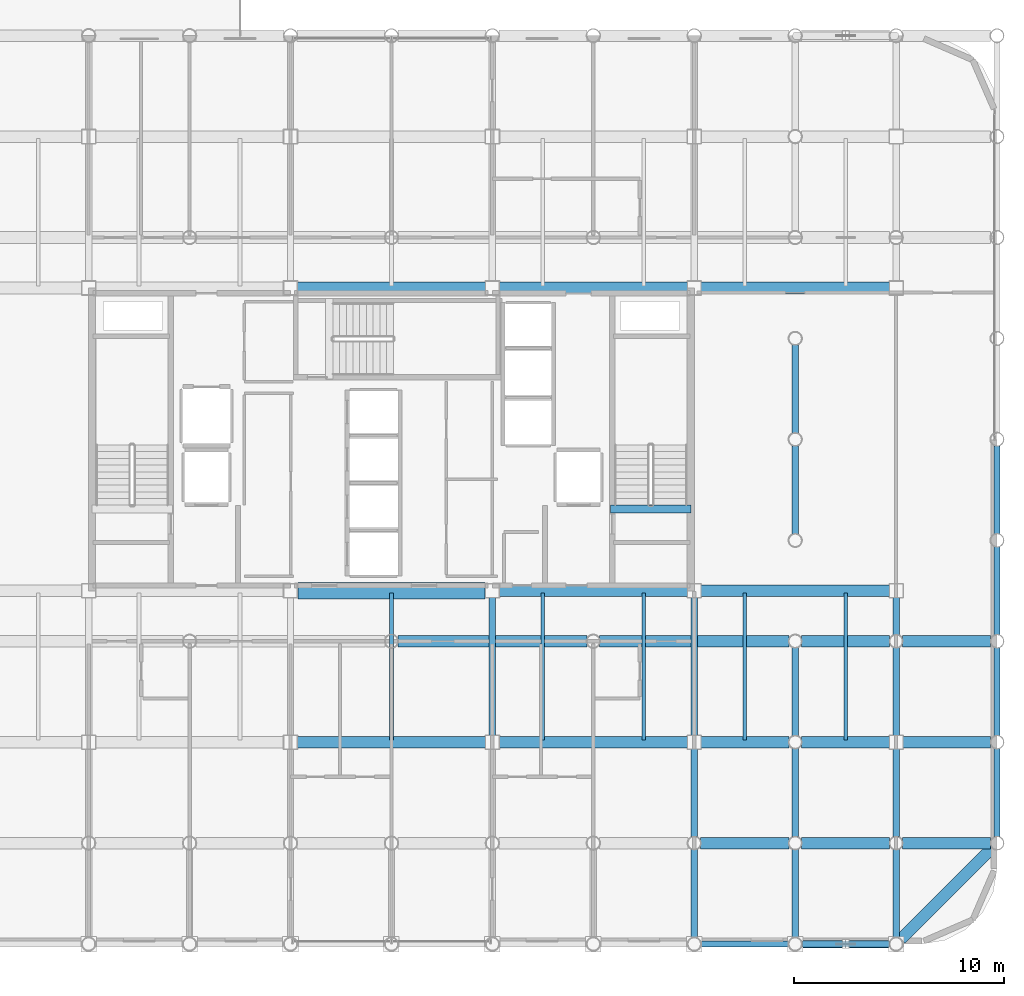
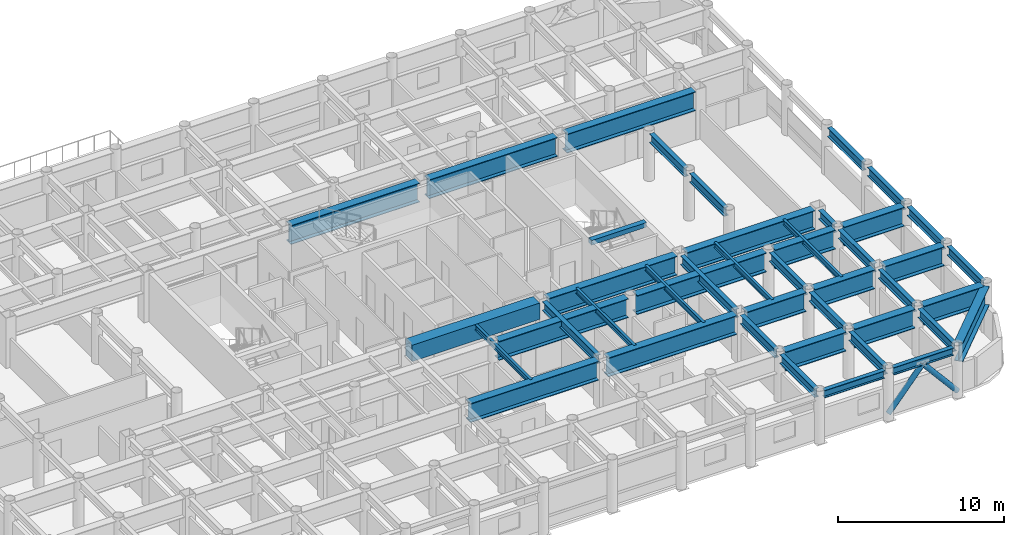
# One storey, part 8 of 22: 44 beams, 2 members.
"""IFC4 building model written with IfcOpenShell, lengths in metres."""

from ifc_helpers import new_model, si_unit, direction, frame, origin, origin_2d, place, context, subcontext, project, spatial, rectangle, hollow_circle, i_section, extrude, material, material_profile, profile_set, type_object, element, save


model = new_model("IFC4")

# Units and contexts
model_context = context("Model", 3, precision=1e-05, world=origin(), true_north=direction((0.0, 1.0)))
body_context = subcontext(model_context, "Body", "Model", "MODEL_VIEW")
ifc_project = project(units=[si_unit("LENGTHUNIT", "METRE"), si_unit("AREAUNIT", "SQUARE_METRE"), si_unit("VOLUMEUNIT", "CUBIC_METRE"), si_unit("PLANEANGLEUNIT", "RADIAN"), si_unit("MASSUNIT", "GRAM", prefix="KILO")], contexts=[model_context])

# Site, building, storey
site_placement = place(None, origin())
site = spatial("IfcSite", under=ifc_project, at=site_placement, CompositionType="ELEMENT")
building_placement = place(site_placement, origin())
building = spatial("IfcBuilding", under=site, at=building_placement, Name="Kallvorn Hotel Tower", CompositionType="ELEMENT")
storey_placement = place(building_placement, frame((0.0, 0.0, 154.39990234375)))
storey = spatial("IfcBuildingStorey", under=building, at=storey_placement, Name="L38", CompositionType="ELEMENT", Elevation=154.39990234375)

# Beams
ifc_material_1 = material(Name="Structural steel S355JR", Category="steel")
ifc_material_profile_1 = material_profile(ifc_material_1, i_section(OverallWidth=0.300048828125, OverallDepth=0.550048828125, WebThickness=0.014892578125, FlangeThickness=0.029052734375, at=origin_2d()), Name="HE 550 B")
ifc_profile_set_1 = profile_set([ifc_material_profile_1], Name="Structural steel S355JR")
beam_type_1 = type_object("IfcBeamType", Name="BM_HE550B", PredefinedType="SPANDREL", material=ifc_profile_set_1)
for number, where, z_axis, x_axis, name in (
    (1, (14.719970703125, -24.0, 3.2451171875), (1.0, 0.0, 0.0), (0.0, 1.0, 0.0), "L39 Perimeter Spandrel 160"),
    (2, (19.52001953125, -24.0, 3.2451171875), (1.0, 0.0, 0.0), (0.0, 1.0, 0.0), "L39 Perimeter Spandrel 161"),
):
    element("IfcBeam", number, at=place(storey_placement, frame(where, z_axis=z_axis, x_axis=x_axis)), inside=storey, type_object=beam_type_1, Name=name, PredefinedType="SPANDREL", context=body_context, shape_type="SweptSolid", body=[
        extrude(i_section(OverallWidth=0.300048828125, OverallDepth=0.550048828125, WebThickness=0.014892578125, FlangeThickness=0.029052734375, at=origin_2d()), origin(), (0.0, 0.0, 1.0), 4.159912109375),
    ])
ifc_material_2 = material(Name="Structural steel S355JR", Category="steel")
ifc_material_profile_2 = material_profile(ifc_material_2, i_section(OverallWidth=0.300048828125, OverallDepth=0.64990234375, WebThickness=0.01611328125, FlangeThickness=0.031005859375, at=origin_2d()), Name="HE 650 B")
ifc_profile_set_2 = profile_set([ifc_material_profile_2], Name="Structural steel S355JR")
beam_type_2 = type_object("IfcBeamType", Name="BM_HE650B", PredefinedType="BEAM", material=ifc_profile_set_2)
beam_1_placement = place(storey_placement, frame((4.800048828125, -14.074951171875, 3.195068359375), z_axis=(0.0, 1.0, 0.0), x_axis=(-1.0, 0.0, 0.0)))
element("IfcBeam", 3, at=beam_1_placement, inside=storey, type_object=beam_type_2, Name="L39 Primary Y-Girder 116", PredefinedType="BEAM", context=body_context, shape_type="SweptSolid", body=[
    extrude(i_section(OverallWidth=0.300048828125, OverallDepth=0.64990234375, WebThickness=0.01611328125, FlangeThickness=0.031005859375, at=origin_2d()), origin(), (0.0, 0.0, 1.0), 6.550048828125),
])
beam_2_placement = place(storey_placement, frame((14.39990234375, -23.695068359375, 3.195068359375), z_axis=(0.0, 1.0, 0.0), x_axis=(-1.0, 0.0, 0.0)))
element("IfcBeam", 4, at=beam_2_placement, inside=storey, type_object=beam_type_2, Name="L39 Primary Y-Girder 122", PredefinedType="BEAM", context=body_context, shape_type="SweptSolid", body=[
    extrude(i_section(OverallWidth=0.300048828125, OverallDepth=0.64990234375, WebThickness=0.01611328125, FlangeThickness=0.031005859375, at=origin_2d()), origin(), (0.0, 0.0, 1.0), 4.190185546875),
])
beam_3_placement = place(storey_placement, frame((14.39990234375, -18.89501953125, 3.195068359375), z_axis=(0.0, 1.0, 0.0), x_axis=(-1.0, 0.0, 0.0)))
element("IfcBeam", 5, at=beam_3_placement, inside=storey, type_object=beam_type_2, Name="L39 Primary Y-Girder 123", PredefinedType="BEAM", context=body_context, shape_type="SweptSolid", body=[
    extrude(i_section(OverallWidth=0.300048828125, OverallDepth=0.64990234375, WebThickness=0.01611328125, FlangeThickness=0.031005859375, at=origin_2d()), origin(), (0.0, 0.0, 1.0), 4.169921875),
])
beam_4_placement = place(storey_placement, frame((14.39990234375, -14.074951171875, 3.195068359375), z_axis=(0.0, 1.0, 0.0), x_axis=(-1.0, 0.0, 0.0)))
element("IfcBeam", 6, at=beam_4_placement, inside=storey, type_object=beam_type_2, Name="L39 Primary Y-Girder 124", PredefinedType="BEAM", context=body_context, shape_type="SweptSolid", body=[
    extrude(i_section(OverallWidth=0.300048828125, OverallDepth=0.64990234375, WebThickness=0.01611328125, FlangeThickness=0.031005859375, at=origin_2d()), origin(), (0.0, 0.0, 1.0), 6.550048828125),
])
beam_5_placement = place(storey_placement, frame((19.199951171875, -23.695068359375, 3.195068359375), z_axis=(0.0, 1.0, 0.0), x_axis=(-1.0, 0.0, 0.0)))
element("IfcBeam", 7, at=beam_5_placement, inside=storey, type_object=beam_type_2, Name="L39 Primary Y-Girder 127", PredefinedType="BEAM", context=body_context, shape_type="SweptSolid", body=[
    extrude(i_section(OverallWidth=0.300048828125, OverallDepth=0.64990234375, WebThickness=0.01611328125, FlangeThickness=0.031005859375, at=origin_2d()), origin(), (0.0, 0.0, 1.0), 4.190185546875),
])
for number, where, z_axis, x_axis, name in (
    (8, (19.199951171875, -18.89501953125, 3.195068359375), (0.0, 1.0, 0.0), (-1.0, 0.0, 0.0), "L39 Primary Y-Girder 128"),
    (9, (19.199951171875, -14.094970703125, 3.195068359375), (0.0, 1.0, 0.0), (-1.0, 0.0, 0.0), "L39 Primary Y-Girder 129"),
):
    element("IfcBeam", number, at=place(storey_placement, frame(where, z_axis=z_axis, x_axis=x_axis)), inside=storey, type_object=beam_type_2, Name=name, PredefinedType="BEAM", context=body_context, shape_type="SweptSolid", body=[
        extrude(i_section(OverallWidth=0.300048828125, OverallDepth=0.64990234375, WebThickness=0.01611328125, FlangeThickness=0.031005859375, at=origin_2d()), origin(), (0.0, 0.0, 1.0), 4.18994140625),
    ])
for number, where, z_axis, x_axis, name in (
    (10, (19.199951171875, -4.4951171875, 3.195068359375), (0.0, 1.0, 0.0), (-1.0, 0.0, 0.0), "L39 Primary Y-Girder 131"),
    (11, (19.199951171875, 0.304931640625, 3.195068359375), (0.0, 1.0, 0.0), (-1.0, 0.0, 0.0), "L39 Primary Y-Girder 132"),
    (12, (24.0, -23.695068359375, 3.195068359375), (0.0, 1.0, 0.0), (-1.0, 0.0, 0.0), "L39 Primary Y-Girder 136"),
):
    element("IfcBeam", number, at=place(storey_placement, frame(where, z_axis=z_axis, x_axis=x_axis)), inside=storey, type_object=beam_type_2, Name=name, PredefinedType="BEAM", context=body_context, shape_type="SweptSolid", body=[
        extrude(i_section(OverallWidth=0.300048828125, OverallDepth=0.64990234375, WebThickness=0.01611328125, FlangeThickness=0.031005859375, at=origin_2d()), origin(), (0.0, 0.0, 1.0), 4.190185546875),
    ])
for number, where, z_axis, x_axis, name in (
    (13, (24.0, -18.89501953125, 3.195068359375), (0.0, 1.0, 0.0), (-1.0, 0.0, 0.0), "L39 Primary Y-Girder 137"),
    (14, (24.0, -14.074951171875, 3.195068359375), (0.0, 1.0, 0.0), (-1.0, 0.0, 0.0), "L39 Primary Y-Girder 138"),
):
    element("IfcBeam", number, at=place(storey_placement, frame(where, z_axis=z_axis, x_axis=x_axis)), inside=storey, type_object=beam_type_2, Name=name, PredefinedType="BEAM", context=body_context, shape_type="SweptSolid", body=[
        extrude(i_section(OverallWidth=0.300048828125, OverallDepth=0.64990234375, WebThickness=0.01611328125, FlangeThickness=0.031005859375, at=origin_2d()), origin(), (0.0, 0.0, 1.0), 4.169921875),
    ])
beam_6_placement = place(storey_placement, frame((24.0, -9.294921875, 3.195068359375), z_axis=(0.0, 1.0, 0.0), x_axis=(-1.0, 0.0, 0.0)))
element("IfcBeam", 15, at=beam_6_placement, inside=storey, type_object=beam_type_2, Name="L39 Primary Y-Girder 139", PredefinedType="BEAM", context=body_context, shape_type="SweptSolid", body=[
    extrude(i_section(OverallWidth=0.300048828125, OverallDepth=0.64990234375, WebThickness=0.01611328125, FlangeThickness=0.031005859375, at=origin_2d()), origin(), (0.0, 0.0, 1.0), 1.77001953125),
])
for number, where, z_axis, x_axis, name in (
    (16, (28.800048828125, -18.89501953125, 3.195068359375), (0.0, 1.0, 0.0), (-1.0, 0.0, 0.0), "L39 Primary Y-Girder 143"),
    (17, (28.800048828125, -14.094970703125, 3.195068359375), (0.0, 1.0, 0.0), (-1.0, 0.0, 0.0), "L39 Primary Y-Girder 144"),
    (18, (28.800048828125, -9.294921875, 3.195068359375), (0.0, 1.0, 0.0), (-1.0, 0.0, 0.0), "L39 Primary Y-Girder 145"),
):
    element("IfcBeam", number, at=place(storey_placement, frame(where, z_axis=z_axis, x_axis=x_axis)), inside=storey, type_object=beam_type_2, Name=name, PredefinedType="BEAM", context=body_context, shape_type="SweptSolid", body=[
        extrude(i_section(OverallWidth=0.300048828125, OverallDepth=0.64990234375, WebThickness=0.01611328125, FlangeThickness=0.031005859375, at=origin_2d()), origin(), (0.0, 0.0, 1.0), 4.18994140625),
    ])
beam_7_placement = place(storey_placement, frame((28.800048828125, -4.4951171875, 3.195068359375), z_axis=(0.0, 1.0, 0.0), x_axis=(-1.0, 0.0, 0.0)))
element("IfcBeam", 19, at=beam_7_placement, inside=storey, type_object=beam_type_2, Name="L39 Primary Y-Girder 146", PredefinedType="BEAM", context=body_context, shape_type="SweptSolid", body=[
    extrude(i_section(OverallWidth=0.300048828125, OverallDepth=0.64990234375, WebThickness=0.01611328125, FlangeThickness=0.031005859375, at=origin_2d()), origin(), (0.0, 0.0, 1.0), 4.190185546875),
])
ifc_material_3 = material(Name="Structural steel S355JR", Category="steel")
ifc_material_profile_3 = material_profile(ifc_material_3, i_section(OverallWidth=0.179931640625, OverallDepth=0.39990234375, WebThickness=0.008544921875, FlangeThickness=0.013427734375, at=origin_2d()), Name="IPE 400")
ifc_profile_set_3 = profile_set([ifc_material_profile_3], Name="Structural steel S355JR")
beam_type_3 = type_object("IfcBeamType", Name="BM_IPE400", PredefinedType="JOIST", material=ifc_profile_set_3)
for number, where, z_axis, x_axis, name in (
    (20, (0.0, -14.300048828125, 3.320068359375), (0.0, 1.0, 0.0), (-1.0, 0.0, 0.0), "L39 Secondary Composite Joist 200"),
    (21, (7.199951171875, -14.300048828125, 3.320068359375), (0.0, 1.0, 0.0), (-1.0, 0.0, 0.0), "L39 Secondary Composite Joist 202"),
    (22, (12.0, -14.300048828125, 3.320068359375), (0.0, 1.0, 0.0), (-1.0, 0.0, 0.0), "L39 Secondary Composite Joist 204"),
    (23, (16.800048828125, -14.300048828125, 3.320068359375), (0.0, 1.0, 0.0), (-1.0, 0.0, 0.0), "L39 Secondary Composite Joist 206"),
    (24, (21.60009765625, -14.300048828125, 3.320068359375), (0.0, 1.0, 0.0), (-1.0, 0.0, 0.0), "L39 Secondary Composite Joist 208"),
):
    element("IfcBeam", number, at=place(storey_placement, frame(where, z_axis=z_axis, x_axis=x_axis)), inside=storey, type_object=beam_type_3, Name=name, PredefinedType="JOIST", context=body_context, shape_type="SweptSolid", body=[
        extrude(i_section(OverallWidth=0.179931640625, OverallDepth=0.39990234375, WebThickness=0.008544921875, FlangeThickness=0.013427734375, at=origin_2d()), origin(), (0.0, 0.0, 1.0), 7.0),
    ])
ifc_material_4 = material(Name="Structural steel S355JR", Category="steel")
ifc_material_profile_4 = material_profile(ifc_material_4, i_section(OverallWidth=0.550048828125, OverallDepth=1.39990234375, WebThickness=0.02490234375, FlangeThickness=0.044921875, at=origin_2d()), Name="PG 1400x550x25x45")
ifc_profile_set_4 = profile_set([ifc_material_profile_4], Name="Structural steel S355JR")
beam_type_4 = type_object("IfcBeamType", Name="BM_PG_1400", PredefinedType="BEAM", material=ifc_profile_set_4)
beam_8_placement = place(storey_placement, frame((14.705078125, -19.199951171875, 2.820068359375), z_axis=(1.0, 0.0, 0.0), x_axis=(0.0, 1.0, 0.0)))
element("IfcBeam", 25, at=beam_8_placement, inside=storey, type_object=beam_type_4, Name="L39 Primary X-Girder 11", PredefinedType="BEAM", context=body_context, shape_type="SweptSolid", body=[
    extrude(i_section(OverallWidth=0.550048828125, OverallDepth=1.39990234375, WebThickness=0.02490234375, FlangeThickness=0.044921875, at=origin_2d()), origin(), (0.0, 0.0, 1.0), 4.18994140625),
])
for number, where, z_axis, x_axis, name in (
    (26, (19.5048828125, -19.199951171875, 2.820068359375), (1.0, 0.0, 0.0), (0.0, 1.0, 0.0), "L39 Primary X-Girder 12"),
    (27, (24.304931640625, -19.199951171875, 2.820068359375), (1.0, 0.0, 0.0), (0.0, 1.0, 0.0), "L39 Primary X-Girder 13"),
):
    element("IfcBeam", number, at=place(storey_placement, frame(where, z_axis=z_axis, x_axis=x_axis)), inside=storey, type_object=beam_type_4, Name=name, PredefinedType="BEAM", context=body_context, shape_type="SweptSolid", body=[
        extrude(i_section(OverallWidth=0.550048828125, OverallDepth=1.39990234375, WebThickness=0.02490234375, FlangeThickness=0.044921875, at=origin_2d()), origin(), (0.0, 0.0, 1.0), 4.190185546875),
    ])
beam_9_placement = place(storey_placement, frame((-4.47509765625, -14.39990234375, 2.820068359375), z_axis=(1.0, 0.0, 0.0), x_axis=(0.0, 1.0, 0.0)))
element("IfcBeam", 28, at=beam_9_placement, inside=storey, type_object=beam_type_4, Name="L39 Primary X-Girder 19", PredefinedType="BEAM", context=body_context, shape_type="SweptSolid", body=[
    extrude(i_section(OverallWidth=0.550048828125, OverallDepth=1.39990234375, WebThickness=0.02490234375, FlangeThickness=0.044921875, at=origin_2d()), origin(), (0.0, 0.0, 1.0), 8.9501953125),
])
beam_10_placement = place(storey_placement, frame((5.125, -14.39990234375, 2.820068359375), z_axis=(1.0, 0.0, 0.0), x_axis=(0.0, 1.0, 0.0)))
element("IfcBeam", 29, at=beam_10_placement, inside=storey, type_object=beam_type_4, Name="L39 Primary X-Girder 20", PredefinedType="BEAM", context=body_context, shape_type="SweptSolid", body=[
    extrude(i_section(OverallWidth=0.550048828125, OverallDepth=1.39990234375, WebThickness=0.02490234375, FlangeThickness=0.044921875, at=origin_2d()), origin(), (0.0, 0.0, 1.0), 8.949951171875),
])
beam_11_placement = place(storey_placement, frame((14.72509765625, -14.39990234375, 2.820068359375), z_axis=(1.0, 0.0, 0.0), x_axis=(0.0, 1.0, 0.0)))
element("IfcBeam", 30, at=beam_11_placement, inside=storey, type_object=beam_type_4, Name="L39 Primary X-Girder 21", PredefinedType="BEAM", context=body_context, shape_type="SweptSolid", body=[
    extrude(i_section(OverallWidth=0.550048828125, OverallDepth=1.39990234375, WebThickness=0.02490234375, FlangeThickness=0.044921875, at=origin_2d()), origin(), (0.0, 0.0, 1.0), 4.169921875),
])
for number, where, z_axis, x_axis, name in (
    (31, (19.5048828125, -14.39990234375, 2.820068359375), (1.0, 0.0, 0.0), (0.0, 1.0, 0.0), "L39 Primary X-Girder 22"),
    (32, (24.324951171875, -14.39990234375, 2.820068359375), (1.0, 0.0, 0.0), (0.0, 1.0, 0.0), "L39 Primary X-Girder 23"),
):
    element("IfcBeam", number, at=place(storey_placement, frame(where, z_axis=z_axis, x_axis=x_axis)), inside=storey, type_object=beam_type_4, Name=name, PredefinedType="BEAM", context=body_context, shape_type="SweptSolid", body=[
        extrude(i_section(OverallWidth=0.550048828125, OverallDepth=1.39990234375, WebThickness=0.02490234375, FlangeThickness=0.044921875, at=origin_2d()), origin(), (0.0, 0.0, 1.0), 4.170166015625),
    ])
for number, where, z_axis, x_axis, name in (
    (33, (0.304931640625, -9.60009765625, 2.820068359375), (1.0, 0.0, 0.0), (0.0, 1.0, 0.0), "L39 Primary X-Girder 29"),
    (34, (9.905029296875, -9.60009765625, 2.820068359375), (1.0, 0.0, 0.0), (0.0, 1.0, 0.0), "L39 Primary X-Girder 30"),
):
    element("IfcBeam", number, at=place(storey_placement, frame(where, z_axis=z_axis, x_axis=x_axis)), inside=storey, type_object=beam_type_4, Name=name, PredefinedType="BEAM", context=body_context, shape_type="SweptSolid", body=[
        extrude(i_section(OverallWidth=0.550048828125, OverallDepth=1.39990234375, WebThickness=0.02490234375, FlangeThickness=0.044921875, at=origin_2d()), origin(), (0.0, 0.0, 1.0), 8.989990234375),
    ])
for number, where, z_axis, x_axis, name in (
    (35, (19.5048828125, -9.60009765625, 2.820068359375), (1.0, 0.0, 0.0), (0.0, 1.0, 0.0), "L39 Primary X-Girder 31"),
    (36, (24.304931640625, -9.60009765625, 2.820068359375), (1.0, 0.0, 0.0), (0.0, 1.0, 0.0), "L39 Primary X-Girder 32"),
):
    element("IfcBeam", number, at=place(storey_placement, frame(where, z_axis=z_axis, x_axis=x_axis)), inside=storey, type_object=beam_type_4, Name=name, PredefinedType="BEAM", context=body_context, shape_type="SweptSolid", body=[
        extrude(i_section(OverallWidth=0.550048828125, OverallDepth=1.39990234375, WebThickness=0.02490234375, FlangeThickness=0.044921875, at=origin_2d()), origin(), (0.0, 0.0, 1.0), 4.190185546875),
    ])
for number, where, z_axis, x_axis, name in (
    (37, (5.125, -7.199951171875, 2.820068359375), (1.0, 0.0, 0.0), (0.0, 1.0, 0.0), "L39 Primary X-Girder 35"),
    (38, (14.72509765625, -7.199951171875, 2.820068359375), (1.0, 0.0, 0.0), (0.0, 1.0, 0.0), "L39 Primary X-Girder 36"),
):
    element("IfcBeam", number, at=place(storey_placement, frame(where, z_axis=z_axis, x_axis=x_axis)), inside=storey, type_object=beam_type_4, Name=name, PredefinedType="BEAM", context=body_context, shape_type="SweptSolid", body=[
        extrude(i_section(OverallWidth=0.550048828125, OverallDepth=1.39990234375, WebThickness=0.02490234375, FlangeThickness=0.044921875, at=origin_2d()), origin(), (0.0, 0.0, 1.0), 8.949951171875),
    ])
beam_12_placement = place(storey_placement, frame((-4.47509765625, 7.199951171875, 2.820068359375), z_axis=(1.0, 0.0, 0.0), x_axis=(0.0, 1.0, 0.0)))
element("IfcBeam", 39, at=beam_12_placement, inside=storey, type_object=beam_type_4, Name="L39 Primary X-Girder 39", PredefinedType="BEAM", context=body_context, shape_type="SweptSolid", body=[
    extrude(i_section(OverallWidth=0.550048828125, OverallDepth=1.39990234375, WebThickness=0.02490234375, FlangeThickness=0.044921875, at=origin_2d()), origin(), (0.0, 0.0, 1.0), 8.9501953125),
])
for number, where, z_axis, x_axis, name in (
    (40, (5.125, 7.199951171875, 2.820068359375), (1.0, 0.0, 0.0), (0.0, 1.0, 0.0), "L39 Primary X-Girder 40"),
    (41, (14.72509765625, 7.199951171875, 2.820068359375), (1.0, 0.0, 0.0), (0.0, 1.0, 0.0), "L39 Primary X-Girder 41"),
):
    element("IfcBeam", number, at=place(storey_placement, frame(where, z_axis=z_axis, x_axis=x_axis)), inside=storey, type_object=beam_type_4, Name=name, PredefinedType="BEAM", context=body_context, shape_type="SweptSolid", body=[
        extrude(i_section(OverallWidth=0.550048828125, OverallDepth=1.39990234375, WebThickness=0.02490234375, FlangeThickness=0.044921875, at=origin_2d()), origin(), (0.0, 0.0, 1.0), 8.949951171875),
    ])
beam_13_placement = place(storey_placement, frame((28.57373046875, -19.42626953125, 2.820068359375), z_axis=(-0.707106781187, -0.707106781187, 0.0), x_axis=(0.707106781187, -0.707106781187, 0.0)))
element("IfcBeam", 42, at=beam_13_placement, inside=storey, type_object=beam_type_4, Name="L39 Rounded Corner Tie Beam 191", PredefinedType="BEAM", context=body_context, shape_type="SweptSolid", body=[
    extrude(i_section(OverallWidth=0.550048828125, OverallDepth=1.39990234375, WebThickness=0.02490234375, FlangeThickness=0.044921875, at=origin_2d()), origin(), (0.0, 0.0, 1.0), 6.148193359375),
])
ifc_material_5 = material(Name="Concrete C50/60", Category="concrete")
ifc_material_profile_5 = material_profile(ifc_material_5, rectangle(XDim=0.360107421875, YDim=0.340087890625, at=origin_2d()), Name="RC 360x340")
ifc_profile_set_5 = profile_set([ifc_material_profile_5], Name="Concrete C50/60")
beam_type_5 = type_object("IfcBeamType", Name="BM_RC_400x360", PredefinedType="BEAM", material=ifc_profile_set_5)
beam_14_placement = place(storey_placement, frame((14.239990234375, -3.31005859375, 3.35009765625), z_axis=(-1.0, 0.0, 0.0), x_axis=(0.0, -1.0, 0.0)))
element("IfcBeam", 43, at=beam_14_placement, inside=storey, type_object=beam_type_5, Name="L39 Stair ST2 Arrival Trimmer Beam", PredefinedType="BEAM", context=body_context, shape_type="SweptSolid", body=[
    extrude(rectangle(XDim=0.360107421875, YDim=0.340087890625, at=origin_2d()), origin(), (0.0, 0.0, 1.0), 3.820068359375),
])
ifc_material_6 = material(Name="Concrete C50/60", Category="concrete")
ifc_material_profile_6 = material_profile(ifc_material_6, rectangle(XDim=0.800048828125, YDim=1.199951171875, at=origin_2d()), Name="RC 800x1200")
ifc_profile_set_6 = profile_set([ifc_material_profile_6], Name="Concrete C50/60")
beam_type_6 = type_object("IfcBeamType", Name="BM_RC_800x1200", PredefinedType="T_BEAM", material=ifc_profile_set_6)
beam_15_placement = place(storey_placement, frame((-4.449951171875, -7.199951171875, 2.920166015625), z_axis=(1.0, 0.0, 0.0), x_axis=(0.0, 1.0, 0.0)))
element("IfcBeam", 44, at=beam_15_placement, inside=storey, type_object=beam_type_6, Name="L38 Core Coupling Beam South", PredefinedType="T_BEAM", context=body_context, shape_type="SweptSolid", body=[
    extrude(rectangle(XDim=0.800048828125, YDim=1.199951171875, at=origin_2d()), origin(), (0.0, 0.0, 1.0), 8.89990234375),
])

# Members
ifc_material_7 = material(Name="Structural steel S355J2H", Category="steel")
ifc_material_profile_7 = material_profile(ifc_material_7, hollow_circle(Radius=0.177734375, WallThickness=0.01416015625, at=origin_2d()), Name="CHS 355.6x14.2")
ifc_profile_set_7 = profile_set([ifc_material_profile_7], Name="Structural steel S355J2H")
member_type = type_object("IfcMemberType", Name="MBR_EXO_CHS355", PredefinedType="BRACE", material=ifc_profile_set_7)
for number, where, z_axis, x_axis, name in (
    (45, (19.212890625, -24.0, 0.1953125), (0.646800487591, 0.0, 0.762659248453), (0.0, 1.0, 0.0), "L38 Exoskeleton K-Brace S2A"),
    (46, (23.987060546875, -24.0, 0.1953125), (-0.646800487591, 0.0, 0.762659248453), (0.0, -1.0, 0.0), "L38 Exoskeleton K-Brace S2B"),
):
    element("IfcMember", number, at=place(storey_placement, frame(where, z_axis=z_axis, x_axis=x_axis)), inside=storey, type_object=member_type, Name=name, PredefinedType="BRACE", context=body_context, shape_type="SweptSolid", body=[
        extrude(hollow_circle(Radius=0.177734375, WallThickness=0.01416015625, at=origin_2d()), origin(), (0.0, 0.0, 1.0), 3.6708984375),
    ])

save(model, "model.ifc")
